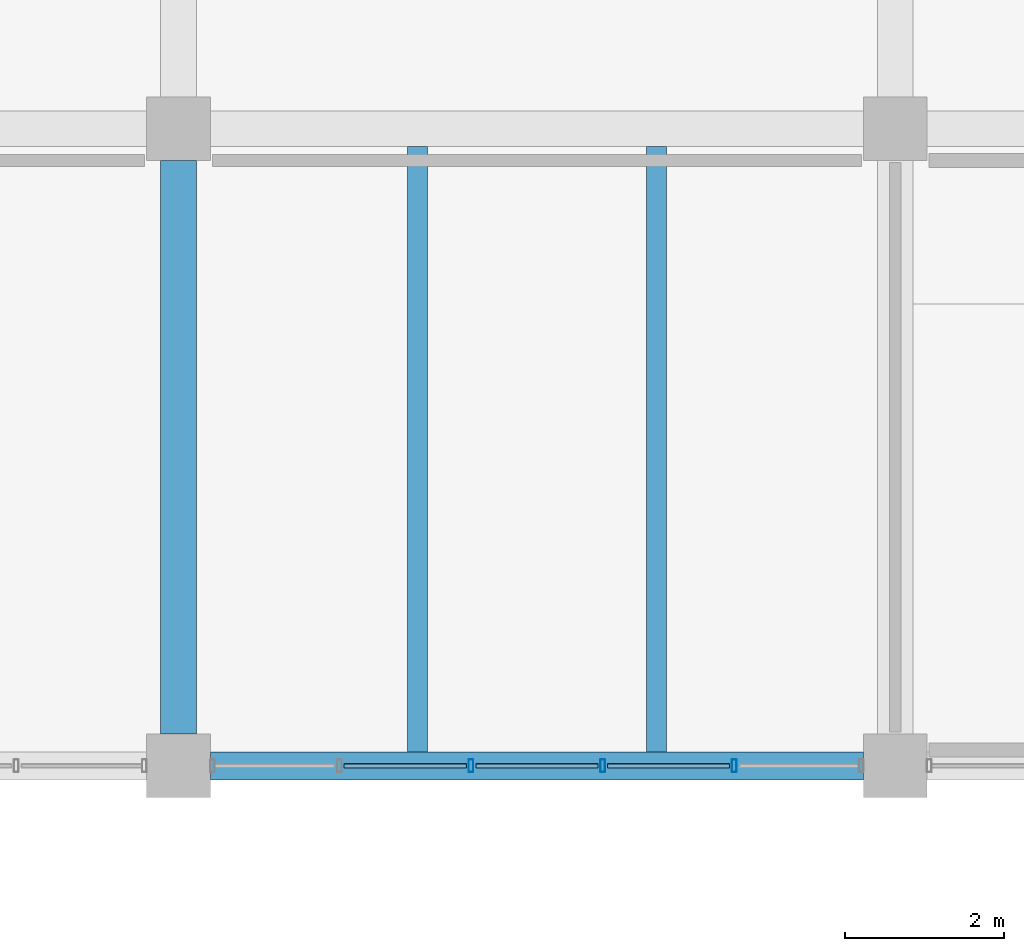
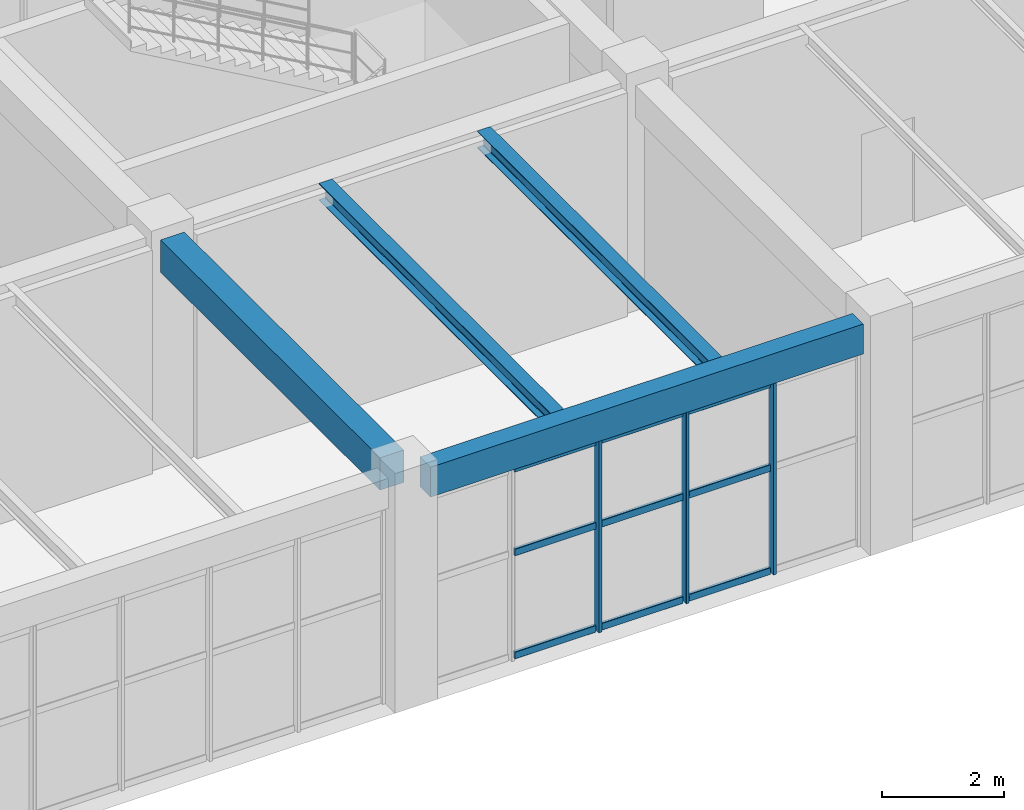
# One storey, part 81 of 178: 12 members, 4 beams, 1 element without a shape of its own.
"""IFC4 building model written with IfcOpenShell, lengths in metres."""

import ifcopenshell
import ifcopenshell.guid

model = None  # the IFC model being written
_history = None  # IfcOwnerHistory: only IFC2X3 demands one
_inside = {}  # id of a spatial element -> (the spatial element, [elements in it])
_under = {}  # id of a project, library or spatial element -> (it, [spatial elements below it])
_declared = {}  # id of a project -> (the project, [libraries it declares])
_typed = {}  # id of a type object -> (the type object, [elements of that type])
_made_of = {}  # id of a material, layer set ... -> (it, [elements and type objects made of it])


def new_model(schema):
    """Start an empty IFC model of exactly this schema.

    Asked for "IFC4X3", IfcOpenShell would pick the latest addendum, in which some entities
    have other attributes; the version numbers below select the first issue.
    IFC2X3 requires an IfcOwnerHistory on every rooted entity: one is made here for all.
    """
    global model, _history
    if schema == "IFC4X3":
        model = ifcopenshell.file(schema_version=(4, 3, 0, 0))
    else:
        model = ifcopenshell.file(schema=schema)
    _inside.clear()
    _under.clear()
    _declared.clear()
    _typed.clear()
    _made_of.clear()
    _history = None
    if model.schema == "IFC2X3":
        org = make("IfcOrganization", Name="unknown")
        user = make(
            "IfcPersonAndOrganization",
            ThePerson=make("IfcPerson", FamilyName="unknown"),
            TheOrganization=org,
        )
        app = make(
            "IfcApplication",
            ApplicationDeveloper=org,
            Version="unknown",
            ApplicationFullName="unknown",
            ApplicationIdentifier="unknown",
        )
        _history = make(
            "IfcOwnerHistory",
            OwningUser=user,
            OwningApplication=app,
            ChangeAction="ADDED",
            CreationDate=0,
        )
    return model


def make(cls, **values):
    """One entity of the class cls with the attributes given. An attribute that is None is left unset."""
    return model.create_entity(
        cls, **{name: value for name, value in values.items() if value is not None}
    )


def rooted(cls, **values):
    """An entity with a GlobalId (a new one), such as an element, a storey or a relation."""
    return make(cls, GlobalId=ifcopenshell.guid.new(), OwnerHistory=_history, **values)


def si_unit(unit_type, name, prefix=None):
    """IfcSIUnit, for example si_unit("LENGTHUNIT", "METRE", prefix="MILLI")."""
    return make("IfcSIUnit", UnitType=unit_type, Prefix=prefix, Name=name)


def derived_unit(unit_type, elements):
    """IfcDerivedUnit: a product of units, each with its exponent."""
    return make(
        "IfcDerivedUnit",
        Elements=[
            make("IfcDerivedUnitElement", Unit=unit, Exponent=power)
            for unit, power in elements
        ],
        UnitType=unit_type,
    )


def assignment(units):
    """IfcUnitAssignment: the units of a project."""
    return None if units is None else make("IfcUnitAssignment", Units=units)


def point(xyz):
    """IfcCartesianPoint."""
    return None if xyz is None else make("IfcCartesianPoint", Coordinates=xyz)


def direction(xyz):
    """IfcDirection."""
    return None if xyz is None else make("IfcDirection", DirectionRatios=xyz)


def frame(location, z_axis=None, x_axis=None):
    """IfcAxis2Placement3D, a coordinate frame: its origin and axes. An axis left out is left unset."""
    return make(
        "IfcAxis2Placement3D",
        Location=point(location),
        Axis=direction(z_axis),
        RefDirection=direction(x_axis),
    )


def frame_2d(location, x_axis=None):
    """IfcAxis2Placement2D, a coordinate frame in the plane: its origin and x axis."""
    return make(
        "IfcAxis2Placement2D", Location=point(location), RefDirection=direction(x_axis)
    )


def origin():
    """The frame at (0, 0, 0) with its axes left unset."""
    return frame((0.0, 0.0, 0.0))


def origin_2d():
    """The frame at (0, 0) in the plane with its x axis left unset."""
    return frame_2d((0.0, 0.0))


def place(relative_to, where):
    """IfcLocalPlacement: puts the frame where relative to a parent placement (None: the world)."""
    return make(
        "IfcLocalPlacement", PlacementRelTo=relative_to, RelativePlacement=where
    )


def context(
    kind, dimensions, precision=None, world=None, true_north=None, identifier=None
):
    """IfcGeometricRepresentationContext, for example the 3D "Model" context."""
    return make(
        "IfcGeometricRepresentationContext",
        ContextIdentifier=identifier,
        ContextType=kind,
        CoordinateSpaceDimension=dimensions,
        Precision=precision,
        WorldCoordinateSystem=world,
        TrueNorth=true_north,
    )


def subcontext(parent, identifier, kind, view, scale=None):
    """IfcGeometricRepresentationSubContext, for example "Body" below "Model"."""
    return make(
        "IfcGeometricRepresentationSubContext",
        ContextIdentifier=identifier,
        ContextType=kind,
        ParentContext=parent,
        TargetScale=scale,
        TargetView=view,
    )


def project(units=None, contexts=None):
    """IfcProject with its units and contexts."""
    return rooted(
        "IfcProject",
        Name="project",
        RepresentationContexts=contexts,
        UnitsInContext=assignment(units),
    )


def spatial(cls, under=None, at=None, **own):
    """A site, building, storey or space (cls), placed at a placement, below another one or the project."""
    s = rooted(cls, ObjectPlacement=at, **own)
    if under is not None:
        _under.setdefault(under.id(), (under, []))[1].append(s)
    return s


def profile(cls, at=None, kind="AREA", **sizes):
    """A parametric profile (cls). Its sizes go by their IFC names, for example OverallWidth=200.0."""
    return make(cls, ProfileType=kind, Position=at, **sizes)


def rectangle(**sizes):
    """IfcRectangleProfileDef."""
    return profile("IfcRectangleProfileDef", **sizes)


def hollow_rectangle(**sizes):
    """IfcRectangleHollowProfileDef."""
    return profile("IfcRectangleHollowProfileDef", **sizes)


def i_section(**sizes):
    """IfcIShapeProfileDef."""
    return profile("IfcIShapeProfileDef", **sizes)


def extrude(swept, where, along, depth):
    """IfcExtrudedAreaSolid: the profile swept, set in the frame where, extruded along a direction by depth."""
    return make(
        "IfcExtrudedAreaSolid",
        SweptArea=swept,
        Position=where,
        ExtrudedDirection=direction(along),
        Depth=depth,
    )


def shape(context_of_items, identifier, shape_type, items):
    """IfcShapeRepresentation: the items that make up one representation, for example the "Body"."""
    return make(
        "IfcShapeRepresentation",
        ContextOfItems=context_of_items,
        RepresentationIdentifier=identifier,
        RepresentationType=shape_type,
        Items=items,
    )


def material(Name=None, Category=None):
    """IfcMaterial."""
    return make("IfcMaterial", Name=Name, Category=Category)


def material_profile(
    of_material, cross_section, Name=None, Category=None, Priority=None
):
    """IfcMaterialProfile: a cross section and its material."""
    return make(
        "IfcMaterialProfile",
        Name=Name,
        Material=of_material,
        Profile=cross_section,
        Priority=Priority,
        Category=Category,
    )


def profile_set(profiles, Name=None, composite=None):
    """IfcMaterialProfileSet."""
    return make(
        "IfcMaterialProfileSet",
        Name=Name,
        MaterialProfiles=profiles,
        CompositeProfile=composite,
    )


def made_of(thing, what):
    """Note that an element or type object is made of a material, layer set ...; save() writes the relation."""
    if what is not None:
        _made_of.setdefault(what.id(), (what, []))[1].append(thing)
    return thing


def type_object(cls, material=None, **own):
    """A type object (cls), such as IfcWallType, which elements share."""
    return made_of(rooted(cls, **own), material)


def element(
    cls,
    number,
    at=None,
    inside=None,
    cuts=None,
    type_object=None,
    material=None,
    context=None,
    identifier="Body",
    shape_type=None,
    held_by="IfcProductDefinitionShape",
    body=None,
    shapes=None,
    **own,
):
    """One element of the class cls, such as IfcWall. Its Tag is "e" and its number.

    at: its placement. inside: the storey or other place that contains it. cuts: it is an
    opening in that element (IfcRelVoidsElement). A single representation is given by context,
    identifier, shape_type and body (its items); several are given by shapes. held_by: the class
    of the entity that holds the representations. save() writes the other relations.
    """
    e = rooted(cls, Tag="e%d" % number, ObjectPlacement=at, **own)
    if body is not None:
        shapes = [shape(context, identifier, shape_type, body)]
    if shapes is not None:
        e.Representation = make(held_by, Representations=shapes)
    if inside is not None:
        _inside.setdefault(inside.id(), (inside, []))[1].append(e)
    if cuts is not None:
        rooted(
            "IfcRelVoidsElement", RelatingBuildingElement=cuts, RelatedOpeningElement=e
        )
    if type_object is not None:
        _typed.setdefault(type_object.id(), (type_object, []))[1].append(e)
    return made_of(e, material)


def aggregate(whole, parts):
    """IfcRelAggregates: a whole, such as a stair, and the parts it consists of."""
    return rooted("IfcRelAggregates", RelatingObject=whole, RelatedObjects=parts)


def save(model, path):
    """Write the relations noted so far, then the file.

    IfcRelAggregates (storeys below a building ...), IfcRelContainedInSpatialStructure (elements
    in a storey), IfcRelDefinesByType, IfcRelAssociatesMaterial and IfcRelDeclares: one each for
    every whole, place, type object, material and project.
    """
    for whole, parts in _under.values():
        aggregate(whole, parts)
    for where, things in _inside.values():
        rooted(
            "IfcRelContainedInSpatialStructure",
            RelatedElements=things,
            RelatingStructure=where,
        )
    for kind, things in _typed.values():
        rooted("IfcRelDefinesByType", RelatedObjects=things, RelatingType=kind)
    for what, things in _made_of.values():
        rooted("IfcRelAssociatesMaterial", RelatedObjects=things, RelatingMaterial=what)
    for by, libraries in _declared.values():
        rooted("IfcRelDeclares", RelatingContext=by, RelatedDefinitions=libraries)
    model.write(path)


model = new_model("IFC4")

# Units and contexts
model_context = context("Model", 3, precision=1e-05, world=origin(), true_north=direction((0.0, 1.0)))
body_context = subcontext(model_context, "Body", "Model", "MODEL_VIEW")
ifc_project = project(units=[si_unit("LENGTHUNIT", "METRE"), si_unit("AREAUNIT", "SQUARE_METRE"), si_unit("VOLUMEUNIT", "CUBIC_METRE"), si_unit("PLANEANGLEUNIT", "RADIAN"), si_unit("MASSUNIT", "GRAM", prefix="KILO"), derived_unit("THERMALTRANSMITTANCEUNIT", [(si_unit("MASSUNIT", "GRAM", prefix="KILO"), 1), (si_unit("TIMEUNIT", "SECOND"), -3), (si_unit("THERMODYNAMICTEMPERATUREUNIT", "KELVIN"), -1)])], contexts=[model_context])

# Site, building, storey
site_placement = place(None, origin())
site = spatial("IfcSite", under=ifc_project, at=site_placement, CompositionType="ELEMENT")
building_placement = place(site_placement, origin())
building = spatial("IfcBuilding", under=site, at=building_placement, Name="Zhenchuan Archway Interchange", CompositionType="ELEMENT")
storey_placement = place(building_placement, frame((0.0, 0.0, 5.39990234375)))
storey = spatial("IfcBuildingStorey", under=building, at=storey_placement, Name="L01", CompositionType="ELEMENT", Elevation=5.39990234375)

# Beam
ifc_material_1 = material(Name="Concrete C40", Category="concrete")
ifc_material_profile_1 = material_profile(ifc_material_1, rectangle(XDim=0.449951171875, YDim=0.64990234375, at=origin_2d()), Name="RC 450x650")
ifc_profile_set_1 = profile_set([ifc_material_profile_1], Name="Concrete C40")
beam_type_1 = type_object("IfcBeamType", Name="BM_RC_450x650", PredefinedType="BEAM", material=ifc_profile_set_1)
beam_1_placement = place(storey_placement, frame((9.0, 96.39990234375, 4.2451171875), z_axis=(0.0, 1.0, 0.0), x_axis=(-1.0, 0.0, 0.0)))
element("IfcBeam", 1, at=beam_1_placement, inside=storey, type_object=beam_type_1, Name="Beam 2:N-O (L01)", PredefinedType="BEAM", context=body_context, shape_type="SweptSolid", body=[
    extrude(rectangle(XDim=0.449951171875, YDim=0.64990234375, at=origin_2d()), origin(), (0.0, 0.0, 1.0), 7.2001953125),
])

# Curtain wall, members
ifc_material_2 = material(Name="Anodised Aluminium", Category="aluminium")
curtain_wall_type = type_object("IfcCurtainWallType", Name="CW_UNIT_2", PredefinedType="NOTDEFINED", material=ifc_material_2)
curtain_wall_placement = place(storey_placement, origin())
curtain_wall = element("IfcCurtainWall", 2, at=curtain_wall_placement, inside=storey, type_object=curtain_wall_type, Name="Unitised curtain wall CW:L01:041", PredefinedType="NOTDEFINED")
ifc_material_profile_2 = material_profile(ifc_material_2, hollow_rectangle(XDim=0.06005859375, YDim=0.159912109375, WallThickness=0.00390625, InnerFilletRadius=0.00390625, OuterFilletRadius=0.008056640625, at=origin_2d()), Name="ALU 160x60x4")
ifc_profile_set_2 = profile_set([ifc_material_profile_2], Name="Anodised Aluminium")
member_type_1 = type_object("IfcMemberType", Name="CW_MUL_150", PredefinedType="MULLION", material=ifc_profile_set_2)
member_1_placement = place(storey_placement, frame((15.979248046875, 96.0, 0.0), z_axis=(0.0, 0.0, 1.0), x_axis=(1.0, 0.0, 0.0)))
member_1 = element("IfcMember", 3, at=member_1_placement, type_object=member_type_1, Name="CW:L01:041 mullion 1", PredefinedType="MULLION", context=body_context, shape_type="SweptSolid", body=[
    extrude(hollow_rectangle(XDim=0.06005859375, YDim=0.159912109375, WallThickness=0.00390625, InnerFilletRadius=0.00390625, OuterFilletRadius=0.008056640625, at=origin_2d()), origin(), (0.0, 0.0, 1.0), 3.880126953125),
])
member_2_placement = place(storey_placement, frame((14.326416015625, 96.0, 0.0), z_axis=(0.0, 0.0, 1.0), x_axis=(1.0, 0.0, 0.0)))
member_2 = element("IfcMember", 4, at=member_2_placement, type_object=member_type_1, Name="CW:L01:041 mullion 2", PredefinedType="MULLION", context=body_context, shape_type="SweptSolid", body=[
    extrude(hollow_rectangle(XDim=0.06005859375, YDim=0.159912109375, WallThickness=0.00390625, InnerFilletRadius=0.00390625, OuterFilletRadius=0.008056640625, at=origin_2d()), origin(), (0.0, 0.0, 1.0), 3.880126953125),
])
member_3_placement = place(storey_placement, frame((12.673583984375, 96.0, 0.0), z_axis=(0.0, 0.0, 1.0), x_axis=(1.0, 0.0, 0.0)))
member_3 = element("IfcMember", 5, at=member_3_placement, type_object=member_type_1, Name="CW:L01:041 mullion 3", PredefinedType="MULLION", context=body_context, shape_type="SweptSolid", body=[
    extrude(hollow_rectangle(XDim=0.06005859375, YDim=0.159912109375, WallThickness=0.00390625, InnerFilletRadius=0.00390625, OuterFilletRadius=0.008056640625, at=origin_2d()), origin(), (0.0, 0.0, 1.0), 3.880126953125),
])
ifc_material_profile_3 = material_profile(ifc_material_2, hollow_rectangle(XDim=0.06005859375, YDim=0.139892578125, WallThickness=0.00341796875, InnerFilletRadius=0.00341796875, OuterFilletRadius=0.007080078125, at=origin_2d()), Name="ALU 140x60x3.5")
ifc_profile_set_3 = profile_set([ifc_material_profile_3], Name="Anodised Aluminium")
member_type_2 = type_object("IfcMemberType", Name="CW_TRN_140", PredefinedType="USERDEFINED", material=ifc_profile_set_3)
member_4_placement = place(storey_placement, frame((15.919189453125, 96.0, 0.06005859375), z_axis=(-1.0, 0.0, 0.0), x_axis=(0.0, -1.0, 0.0)))
member_4 = element("IfcMember", 6, at=member_4_placement, type_object=member_type_2, Name="CW:L01:041 transom 1-1", ObjectType="TRANSOM", PredefinedType="USERDEFINED", context=body_context, shape_type="SweptSolid", body=[
    extrude(hollow_rectangle(XDim=0.06005859375, YDim=0.139892578125, WallThickness=0.00341796875, InnerFilletRadius=0.00341796875, OuterFilletRadius=0.007080078125, at=origin_2d()), origin(), (0.0, 0.0, 1.0), 1.53271484375),
])
member_5_placement = place(storey_placement, frame((15.919189453125, 96.0, 2.123046875), z_axis=(-1.0, 0.0, 0.0), x_axis=(0.0, -1.0, 0.0)))
member_5 = element("IfcMember", 7, at=member_5_placement, type_object=member_type_2, Name="CW:L01:041 transom 1-2", ObjectType="TRANSOM", PredefinedType="USERDEFINED", context=body_context, shape_type="SweptSolid", body=[
    extrude(hollow_rectangle(XDim=0.06005859375, YDim=0.139892578125, WallThickness=0.00341796875, InnerFilletRadius=0.00341796875, OuterFilletRadius=0.007080078125, at=origin_2d()), origin(), (0.0, 0.0, 1.0), 1.53271484375),
])
member_6_placement = place(storey_placement, frame((15.919189453125, 96.0, 3.800048828125), z_axis=(-1.0, 0.0, 0.0), x_axis=(0.0, -1.0, 0.0)))
member_6 = element("IfcMember", 8, at=member_6_placement, type_object=member_type_2, Name="CW:L01:041 transom 1-3", ObjectType="TRANSOM", PredefinedType="USERDEFINED", context=body_context, shape_type="SweptSolid", body=[
    extrude(hollow_rectangle(XDim=0.06005859375, YDim=0.139892578125, WallThickness=0.00341796875, InnerFilletRadius=0.00341796875, OuterFilletRadius=0.007080078125, at=origin_2d()), origin(), (0.0, 0.0, 1.0), 1.53271484375),
])
member_7_placement = place(storey_placement, frame((14.266357421875, 96.0, 0.06005859375), z_axis=(-1.0, 0.0, 0.0), x_axis=(0.0, -1.0, 0.0)))
member_7 = element("IfcMember", 9, at=member_7_placement, type_object=member_type_2, Name="CW:L01:041 transom 2-1", ObjectType="TRANSOM", PredefinedType="USERDEFINED", context=body_context, shape_type="SweptSolid", body=[
    extrude(hollow_rectangle(XDim=0.06005859375, YDim=0.139892578125, WallThickness=0.00341796875, InnerFilletRadius=0.00341796875, OuterFilletRadius=0.007080078125, at=origin_2d()), origin(), (0.0, 0.0, 1.0), 1.53271484375),
])
member_8_placement = place(storey_placement, frame((14.266357421875, 96.0, 2.123046875), z_axis=(-1.0, 0.0, 0.0), x_axis=(0.0, -1.0, 0.0)))
member_8 = element("IfcMember", 10, at=member_8_placement, type_object=member_type_2, Name="CW:L01:041 transom 2-2", ObjectType="TRANSOM", PredefinedType="USERDEFINED", context=body_context, shape_type="SweptSolid", body=[
    extrude(hollow_rectangle(XDim=0.06005859375, YDim=0.139892578125, WallThickness=0.00341796875, InnerFilletRadius=0.00341796875, OuterFilletRadius=0.007080078125, at=origin_2d()), origin(), (0.0, 0.0, 1.0), 1.53271484375),
])
member_9_placement = place(storey_placement, frame((14.266357421875, 96.0, 3.800048828125), z_axis=(-1.0, 0.0, 0.0), x_axis=(0.0, -1.0, 0.0)))
member_9 = element("IfcMember", 11, at=member_9_placement, type_object=member_type_2, Name="CW:L01:041 transom 2-3", ObjectType="TRANSOM", PredefinedType="USERDEFINED", context=body_context, shape_type="SweptSolid", body=[
    extrude(hollow_rectangle(XDim=0.06005859375, YDim=0.139892578125, WallThickness=0.00341796875, InnerFilletRadius=0.00341796875, OuterFilletRadius=0.007080078125, at=origin_2d()), origin(), (0.0, 0.0, 1.0), 1.53271484375),
])
member_10_placement = place(storey_placement, frame((12.613525390625, 96.0, 0.06005859375), z_axis=(-1.0, 0.0, 0.0), x_axis=(0.0, -1.0, 0.0)))
member_10 = element("IfcMember", 12, at=member_10_placement, type_object=member_type_2, Name="CW:L01:041 transom 3-1", ObjectType="TRANSOM", PredefinedType="USERDEFINED", context=body_context, shape_type="SweptSolid", body=[
    extrude(hollow_rectangle(XDim=0.06005859375, YDim=0.139892578125, WallThickness=0.00341796875, InnerFilletRadius=0.00341796875, OuterFilletRadius=0.007080078125, at=origin_2d()), origin(), (0.0, 0.0, 1.0), 1.53271484375),
])
member_11_placement = place(storey_placement, frame((12.613525390625, 96.0, 2.123046875), z_axis=(-1.0, 0.0, 0.0), x_axis=(0.0, -1.0, 0.0)))
member_11 = element("IfcMember", 13, at=member_11_placement, type_object=member_type_2, Name="CW:L01:041 transom 3-2", ObjectType="TRANSOM", PredefinedType="USERDEFINED", context=body_context, shape_type="SweptSolid", body=[
    extrude(hollow_rectangle(XDim=0.06005859375, YDim=0.139892578125, WallThickness=0.00341796875, InnerFilletRadius=0.00341796875, OuterFilletRadius=0.007080078125, at=origin_2d()), origin(), (0.0, 0.0, 1.0), 1.53271484375),
])
member_12_placement = place(storey_placement, frame((12.613525390625, 96.0, 3.800048828125), z_axis=(-1.0, 0.0, 0.0), x_axis=(0.0, -1.0, 0.0)))
member_12 = element("IfcMember", 14, at=member_12_placement, type_object=member_type_2, Name="CW:L01:041 transom 3-3", ObjectType="TRANSOM", PredefinedType="USERDEFINED", context=body_context, shape_type="SweptSolid", body=[
    extrude(hollow_rectangle(XDim=0.06005859375, YDim=0.139892578125, WallThickness=0.00341796875, InnerFilletRadius=0.00341796875, OuterFilletRadius=0.007080078125, at=origin_2d()), origin(), (0.0, 0.0, 1.0), 1.53271484375),
])
aggregate(curtain_wall, [member_1, member_2, member_3, member_4, member_5, member_6, member_7, member_8, member_9, member_10, member_11, member_12])

# Beams
ifc_material_3 = material(Name="Steel Q355", Category="steel")
ifc_material_profile_4 = material_profile(ifc_material_3, i_section(OverallWidth=0.25, OverallDepth=0.340087890625, WebThickness=0.009033203125, FlangeThickness=0.013916015625, FilletRadius=0.01806640625, at=origin_2d()), Name="HM 340x250")
ifc_profile_set_4 = profile_set([ifc_material_profile_4], Name="Steel Q355")
beam_type_2 = type_object("IfcBeamType", Name="JST_STL_HM340", PredefinedType="JOIST", material=ifc_profile_set_4)
for number, where, z_axis, x_axis, name in (
    (15, (12.0, 96.175048828125, 4.340087890625), (0.0, 1.0, 0.0), (-1.0, 0.0, 0.0), "Secondary joist 2-3/N-O #1 (L01)"),
    (16, (15.0, 96.175048828125, 4.340087890625), (0.0, 1.0, 0.0), (-1.0, 0.0, 0.0), "Secondary joist 2-3/N-O #2 (L01)"),
):
    element("IfcBeam", number, at=place(storey_placement, frame(where, z_axis=z_axis, x_axis=x_axis)), inside=storey, type_object=beam_type_2, Name=name, PredefinedType="JOIST", context=body_context, shape_type="SweptSolid", body=[
        extrude(i_section(OverallWidth=0.25, OverallDepth=0.340087890625, WebThickness=0.009033203125, FlangeThickness=0.013916015625, FilletRadius=0.01806640625, at=origin_2d()), origin(), (0.0, 0.0, 1.0), 7.599853515625),
    ])
ifc_material_profile_5 = material_profile(ifc_material_1, rectangle(XDim=0.35009765625, YDim=0.60009765625, at=origin_2d()), Name="RC 350x600")
ifc_profile_set_5 = profile_set([ifc_material_profile_5], Name="Concrete C40")
beam_type_3 = type_object("IfcBeamType", Name="SP_RC_350x600", PredefinedType="SPANDREL", material=ifc_profile_set_5)
beam_2_placement = place(storey_placement, frame((9.39990234375, 96.0, 4.210205078125), z_axis=(1.0, 0.0, 0.0), x_axis=(0.0, 1.0, 0.0)))
element("IfcBeam", 17, at=beam_2_placement, inside=storey, type_object=beam_type_3, Name="Beam N:2-3 (L01)", PredefinedType="SPANDREL", context=body_context, shape_type="SweptSolid", body=[
    extrude(rectangle(XDim=0.35009765625, YDim=0.60009765625, at=origin_2d()), origin(), (0.0, 0.0, 1.0), 8.2001953125),
])

save(model, "model.ifc")
